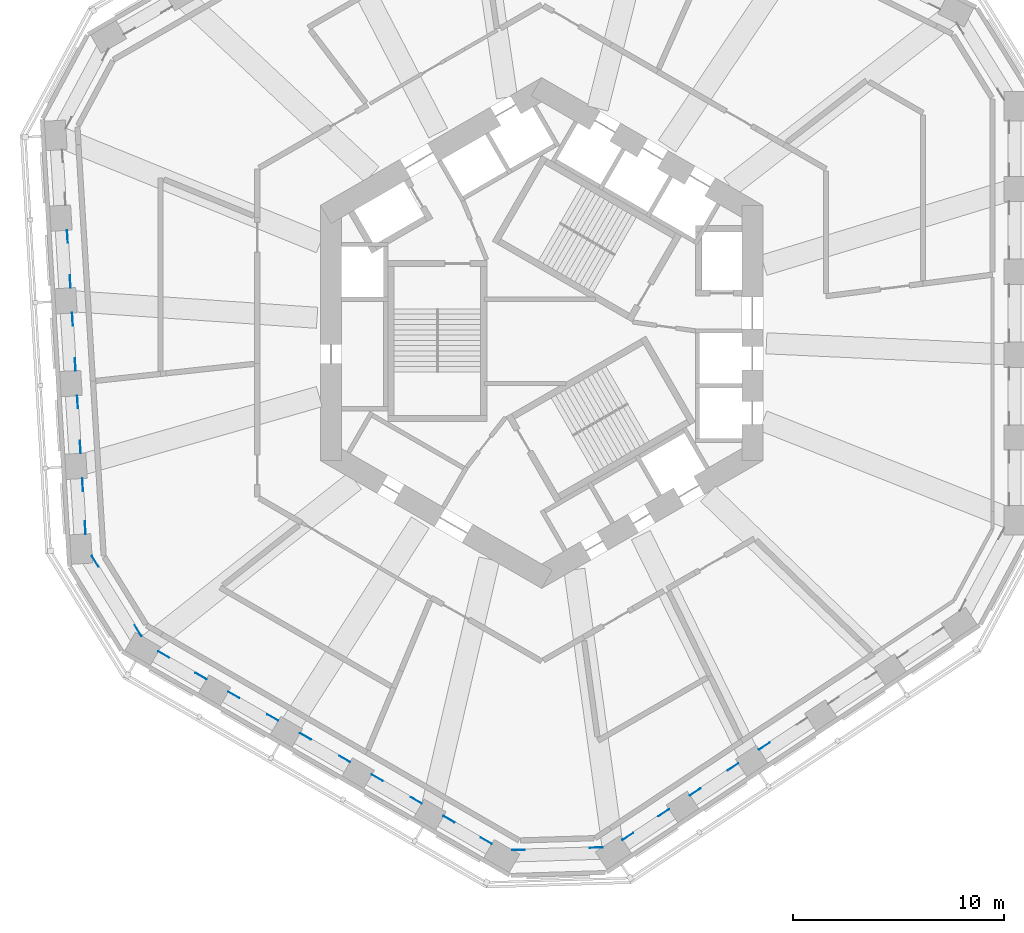
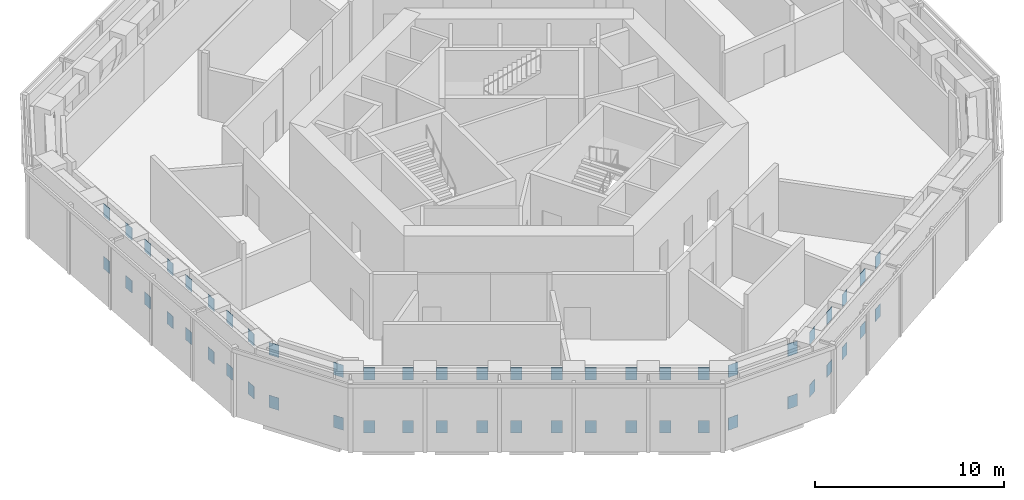
# One storey, part 10 of 15: 54 discrete accessories.
"""IFC4 building model written with IfcOpenShell, lengths in metres."""

from ifc_helpers import new_model, si_unit, direction, frame, origin, origin_2d, place, context, subcontext, project, spatial, rectangle, extrude, material, layer, layer_set, type_object, element, save


model = new_model("IFC4")

# Units and contexts
model_context = context("Model", 3, precision=1e-05, world=origin(), true_north=direction((0.0, 1.0)))
body_context = subcontext(model_context, "Body", "Model", "MODEL_VIEW")
ifc_project = project(units=[si_unit("LENGTHUNIT", "METRE"), si_unit("AREAUNIT", "SQUARE_METRE"), si_unit("VOLUMEUNIT", "CUBIC_METRE"), si_unit("PLANEANGLEUNIT", "RADIAN"), si_unit("MASSUNIT", "GRAM", prefix="KILO")], contexts=[model_context])

# Site, building, storey
site_placement = place(None, origin())
site = spatial("IfcSite", under=ifc_project, at=site_placement, CompositionType="ELEMENT")
building_placement = place(site_placement, origin())
building = spatial("IfcBuilding", under=site, at=building_placement, Name="Vanh Sen Convention Tower", CompositionType="ELEMENT")
storey_placement = place(building_placement, frame((0.0, 0.0, 119.89990234375)))
storey = spatial("IfcBuildingStorey", under=building, at=storey_placement, Name="L29", CompositionType="ELEMENT", Elevation=119.89990234375)

# Discrete accessories
ifc_material = material(Name="Steel S355", Category="steel")
ifc_layer = layer(ifc_material, 0.02001953125)
ifc_layer_set = layer_set([ifc_layer], Name="Steel S355")
discrete_accessory_type = type_object("IfcDiscreteAccessoryType", Name="Belt truss gusset plate 600 x 800 x 20", PredefinedType="USERDEFINED", material=ifc_layer_set)
for number, where, z_axis, x_axis, name in (
    (1, (-22.511474609375, 4.578369140625, 0.0), (0.0, 0.0, 1.0), (0.061048539535, -0.998134798422, 0.0), "GUSSET PLATE belt truss chord bottom 20 L29 start"),
    (2, (-22.380615234375, 2.437744140625, 0.0), (0.0, 0.0, 1.0), (-0.061048539535, 0.998134798422, 0.0), "GUSSET PLATE belt truss chord bottom 20 L29 end"),
    (3, (-22.511474609375, 4.578369140625, 3.39990234375), (0.0, 0.0, 1.0), (0.061048539535, -0.998134798422, 0.0), "GUSSET PLATE belt truss chord top 20 L29 start"),
    (4, (-22.380615234375, 2.437744140625, 3.39990234375), (0.0, 0.0, 1.0), (-0.061048539535, 0.998134798422, 0.0), "GUSSET PLATE belt truss chord top 20 L29 end"),
    (5, (-22.271240234375, 0.651123046875, 0.0), (0.0, 0.0, 1.0), (0.061046797461, -0.99813490497, 0.0), "GUSSET PLATE belt truss chord bottom 21 L29 start"),
    (6, (-22.140380859375, -1.489501953125, 0.0), (0.0, 0.0, 1.0), (-0.061046797461, 0.99813490497, 0.0), "GUSSET PLATE belt truss chord bottom 21 L29 end"),
    (7, (-22.271240234375, 0.651123046875, 3.39990234375), (0.0, 0.0, 1.0), (0.061046797461, -0.99813490497, 0.0), "GUSSET PLATE belt truss chord top 21 L29 start"),
    (8, (-22.140380859375, -1.489501953125, 3.39990234375), (0.0, 0.0, 1.0), (-0.061046797461, 0.99813490497, 0.0), "GUSSET PLATE belt truss chord top 21 L29 end"),
    (9, (-22.031005859375, -3.276123046875, 0.0), (0.0, 0.0, 1.0), (0.061048539535, -0.998134798422, 0.0), "GUSSET PLATE belt truss chord bottom 22 L29 start"),
    (10, (-21.900146484375, -5.416748046875, 0.0), (0.0, 0.0, 1.0), (-0.061048539535, 0.998134798422, 0.0), "GUSSET PLATE belt truss chord bottom 22 L29 end"),
    (11, (-22.031005859375, -3.276123046875, 3.39990234375), (0.0, 0.0, 1.0), (0.061048539535, -0.998134798422, 0.0), "GUSSET PLATE belt truss chord top 22 L29 start"),
    (12, (-21.900146484375, -5.416748046875, 3.39990234375), (0.0, 0.0, 1.0), (-0.061048539535, 0.998134798422, 0.0), "GUSSET PLATE belt truss chord top 22 L29 end"),
    (13, (-21.790771484375, -7.203369140625, 0.0), (0.0, 0.0, 1.0), (0.061046797461, -0.99813490497, 0.0), "GUSSET PLATE belt truss chord bottom 23 L29 start"),
    (14, (-21.666015625, -9.244140625, 0.0), (0.0, 0.0, 1.0), (-0.061046797461, 0.99813490497, 0.0), "GUSSET PLATE belt truss chord bottom 23 L29 end"),
    (15, (-21.790771484375, -7.203369140625, 3.39990234375), (0.0, 0.0, 1.0), (0.061046797461, -0.99813490497, 0.0), "GUSSET PLATE belt truss chord top 23 L29 start"),
    (16, (-21.666015625, -9.244140625, 3.39990234375), (0.0, 0.0, 1.0), (-0.061046797461, 0.99813490497, 0.0), "GUSSET PLATE belt truss chord top 23 L29 end"),
    (17, (-21.197021484375, -10.838134765625, 0.0), (0.0, 0.0, 1.0), (0.526202050444, -0.850359572245, 0.0), "GUSSET PLATE belt truss chord bottom 24 L29 start"),
    (18, (-19.15771484375, -14.134033203125, 0.0), (0.0, 0.0, 1.0), (-0.526202050444, 0.850359572245, 0.0), "GUSSET PLATE belt truss chord bottom 24 L29 end"),
    (19, (-21.197021484375, -10.838134765625, 3.39990234375), (0.0, 0.0, 1.0), (0.526202050444, -0.850359572245, 0.0), "GUSSET PLATE belt truss chord top 24 L29 start"),
    (20, (-19.15771484375, -14.134033203125, 3.39990234375), (0.0, 0.0, 1.0), (-0.526202050444, 0.850359572245, 0.0), "GUSSET PLATE belt truss chord top 24 L29 end"),
    (21, (-17.940185546875, -15.264892578125, 0.0), (0.0, 0.0, 1.0), (0.866028021766, -0.499995465495, 0.0), "GUSSET PLATE belt truss chord bottom 25 L29 start"),
    (22, (-16.169677734375, -16.287353515625, 0.0), (0.0, 0.0, 1.0), (-0.866028021766, 0.499995465495, 0.0), "GUSSET PLATE belt truss chord bottom 25 L29 end"),
    (23, (-17.940185546875, -15.264892578125, 3.39990234375), (0.0, 0.0, 1.0), (0.866028021766, -0.499995465495, 0.0), "GUSSET PLATE belt truss chord top 25 L29 start"),
    (24, (-16.169677734375, -16.287353515625, 3.39990234375), (0.0, 0.0, 1.0), (-0.866028021766, 0.499995465495, 0.0), "GUSSET PLATE belt truss chord top 25 L29 end"),
    (25, (-14.619384765625, -17.182373046875, 0.0), (0.0, 0.0, 1.0), (0.866032385017, -0.499987907955, 0.0), "GUSSET PLATE belt truss chord bottom 26 L29 start"),
    (26, (-12.76220703125, -18.254638671875, 0.0), (0.0, 0.0, 1.0), (-0.866032385017, 0.499987907956, 0.0), "GUSSET PLATE belt truss chord bottom 26 L29 end"),
    (27, (-14.619384765625, -17.182373046875, 3.39990234375), (0.0, 0.0, 1.0), (0.866032385017, -0.499987907955, 0.0), "GUSSET PLATE belt truss chord top 26 L29 start"),
    (28, (-12.76220703125, -18.254638671875, 3.39990234375), (0.0, 0.0, 1.0), (-0.866032385017, 0.499987907956, 0.0), "GUSSET PLATE belt truss chord top 26 L29 end"),
    (29, (-11.2119140625, -19.1494140625, 0.0), (0.0, 0.0, 1.0), (0.866028021766, -0.499995465495, 0.0), "GUSSET PLATE belt truss chord bottom 27 L29 start"),
    (30, (-9.354736328125, -20.2216796875, 0.0), (0.0, 0.0, 1.0), (-0.866028021766, 0.499995465495, 0.0), "GUSSET PLATE belt truss chord bottom 27 L29 end"),
    (31, (-11.2119140625, -19.1494140625, 3.39990234375), (0.0, 0.0, 1.0), (0.866028021766, -0.499995465495, 0.0), "GUSSET PLATE belt truss chord top 27 L29 start"),
    (32, (-9.354736328125, -20.2216796875, 3.39990234375), (0.0, 0.0, 1.0), (-0.866028021766, 0.499995465495, 0.0), "GUSSET PLATE belt truss chord top 27 L29 end"),
    (33, (-7.804443359375, -21.11669921875, 0.0), (0.0, 0.0, 1.0), (0.866028021766, -0.499995465495, 0.0), "GUSSET PLATE belt truss chord bottom 28 L29 start"),
    (34, (-5.947265625, -22.189208984375, 0.0), (0.0, 0.0, 1.0), (-0.866028021766, 0.499995465495, 0.0), "GUSSET PLATE belt truss chord bottom 28 L29 end"),
    (35, (-7.804443359375, -21.11669921875, 3.39990234375), (0.0, 0.0, 1.0), (0.866028021766, -0.499995465495, 0.0), "GUSSET PLATE belt truss chord top 28 L29 start"),
    (36, (-5.947265625, -22.189208984375, 3.39990234375), (0.0, 0.0, 1.0), (-0.866028021766, 0.499995465495, 0.0), "GUSSET PLATE belt truss chord top 28 L29 end"),
    (37, (-4.39697265625, -23.083984375, 0.0), (0.0, 0.0, 1.0), (0.866021040428, -0.500007557478, 0.0), "GUSSET PLATE belt truss chord bottom 29 L29 start"),
    (38, (-2.62646484375, -24.1064453125, 0.0), (0.0, 0.0, 1.0), (-0.866021040428, 0.500007557478, 0.0), "GUSSET PLATE belt truss chord bottom 29 L29 end"),
    (39, (-4.39697265625, -23.083984375, 3.39990234375), (0.0, 0.0, 1.0), (0.866021040428, -0.500007557478, 0.0), "GUSSET PLATE belt truss chord top 29 L29 start"),
    (40, (-2.62646484375, -24.1064453125, 3.39990234375), (0.0, 0.0, 1.0), (-0.866021040428, 0.500007557478, 0.0), "GUSSET PLATE belt truss chord top 29 L29 end"),
    (41, (-1.09423828125, -24.54443359375, 0.0), (0.0, 0.0, 1.0), (0.999533484231, 0.03054200224, 0.0), "GUSSET PLATE belt truss chord bottom 30 L29 start"),
    (42, (2.590576171875, -24.431884765625, 0.0), (0.0, 0.0, 1.0), (-0.999533484231, -0.03054200224, 0.0), "GUSSET PLATE belt truss chord bottom 30 L29 end"),
    (43, (-1.09423828125, -24.54443359375, 3.39990234375), (0.0, 0.0, 1.0), (0.999533484231, 0.03054200224, 0.0), "GUSSET PLATE belt truss chord top 30 L29 start"),
    (44, (2.590576171875, -24.431884765625, 3.39990234375), (0.0, 0.0, 1.0), (-0.999533484231, -0.03054200224, 0.0), "GUSSET PLATE belt truss chord top 30 L29 end"),
    (45, (4.093017578125, -23.901123046875, 0.0), (0.0, 0.0, 1.0), (0.833891601892, 0.55192825285, 0.0), "GUSSET PLATE belt truss chord bottom 31 L29 start"),
    (46, (5.798095703125, -22.772705078125, 0.0), (0.0, 0.0, 1.0), (-0.833891601892, -0.55192825285, 0.0), "GUSSET PLATE belt truss chord bottom 31 L29 end"),
    (47, (4.093017578125, -23.901123046875, 3.39990234375), (0.0, 0.0, 1.0), (0.833891601892, 0.55192825285, 0.0), "GUSSET PLATE belt truss chord top 31 L29 start"),
    (48, (5.798095703125, -22.772705078125, 3.39990234375), (0.0, 0.0, 1.0), (-0.833891601892, -0.55192825285, 0.0), "GUSSET PLATE belt truss chord top 31 L29 end"),
    (49, (7.290771484375, -21.78466796875, 0.0), (0.0, 0.0, 1.0), (0.833891601892, 0.55192825285, 0.0), "GUSSET PLATE belt truss chord bottom 32 L29 start"),
    (50, (9.0791015625, -20.60107421875, 0.0), (0.0, 0.0, 1.0), (-0.833891601892, -0.55192825285, 0.0), "GUSSET PLATE belt truss chord bottom 32 L29 end"),
    (51, (7.290771484375, -21.78466796875, 3.39990234375), (0.0, 0.0, 1.0), (0.833891601892, 0.55192825285, 0.0), "GUSSET PLATE belt truss chord top 32 L29 start"),
    (52, (9.0791015625, -20.60107421875, 3.39990234375), (0.0, 0.0, 1.0), (-0.833891601892, -0.55192825285, 0.0), "GUSSET PLATE belt truss chord top 32 L29 end"),
    (53, (10.57177734375, -19.613037109375, 0.0), (0.0, 0.0, 1.0), (0.833880042151, 0.551945717714, 0.0), "GUSSET PLATE belt truss chord bottom 33 L29 start"),
    (54, (10.57177734375, -19.613037109375, 3.39990234375), (0.0, 0.0, 1.0), (0.833880042151, 0.551945717714, 0.0), "GUSSET PLATE belt truss chord top 33 L29 start"),
):
    element("IfcDiscreteAccessory", number, at=place(storey_placement, frame(where, z_axis=z_axis, x_axis=x_axis)), inside=storey, type_object=discrete_accessory_type, Name=name, ObjectType="GUSSET PLATE", PredefinedType="USERDEFINED", context=body_context, shape_type="SweptSolid", body=[
        extrude(rectangle(XDim=0.60009765625, YDim=0.02001953125, at=origin_2d()), origin(), (0.0, 0.0, 1.0), 0.800048828125),
    ])

save(model, "model.ifc")
